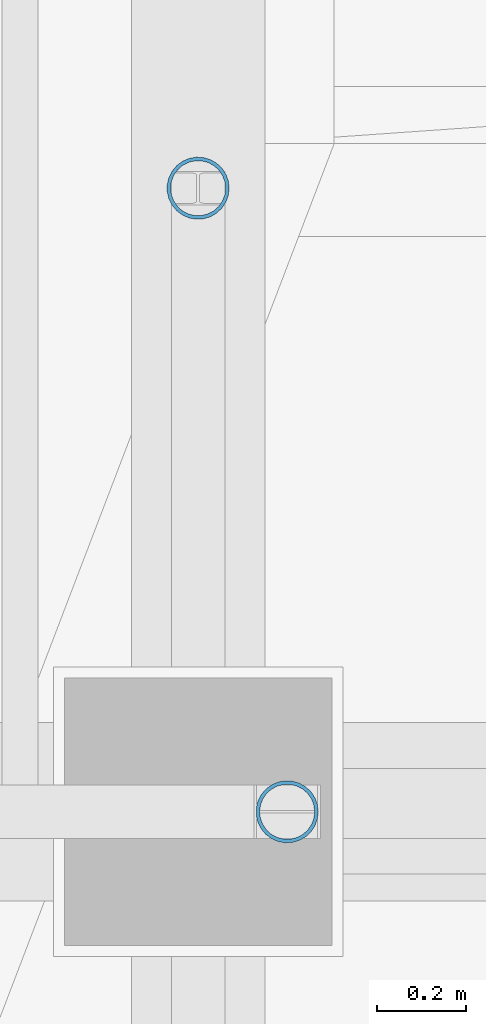
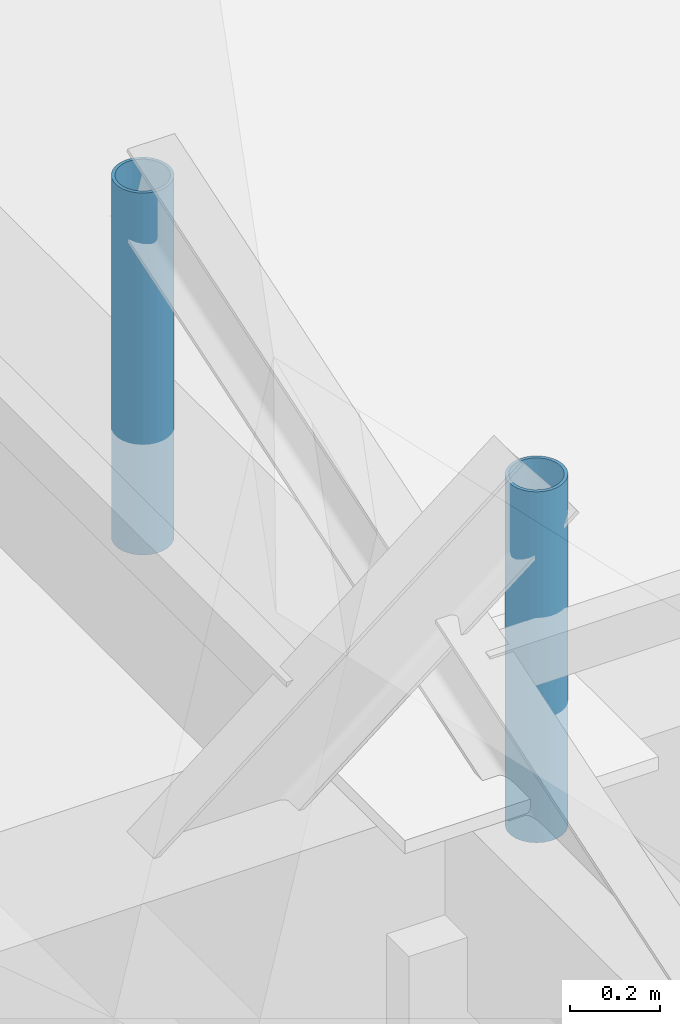
# One storey, part 25 of 39: 2 members.
"""IFC4 building model written with IfcOpenShell, lengths in metres."""

from ifc_helpers import new_model, si_unit, direction, frame, origin, origin_2d, place, context, subcontext, project, spatial, hollow_circle, extrude, material, material_profile, profile_set, type_object, element, save


model = new_model("IFC4")

# Units and contexts
model_context = context("Model", 3, precision=1e-05, world=origin(), true_north=direction((0.0, 1.0)))
body_context = subcontext(model_context, "Body", "Model", "MODEL_VIEW")
ifc_project = project(units=[si_unit("LENGTHUNIT", "METRE"), si_unit("AREAUNIT", "SQUARE_METRE"), si_unit("VOLUMEUNIT", "CUBIC_METRE"), si_unit("PLANEANGLEUNIT", "RADIAN"), si_unit("MASSUNIT", "GRAM", prefix="KILO")], contexts=[model_context])

# Site, building, storey
site_placement = place(None, origin())
site = spatial("IfcSite", under=ifc_project, at=site_placement, CompositionType="ELEMENT")
building_placement = place(site_placement, origin())
building = spatial("IfcBuilding", under=site, at=building_placement, Name="Akrevak Sports Hall", CompositionType="ELEMENT")
storey_placement = place(building_placement, frame((0.0, 0.0, 66.550048828125)))
storey = spatial("IfcBuildingStorey", under=building, at=storey_placement, Name="L17", CompositionType="ELEMENT", Elevation=66.550048828125)

# Members
ifc_material = material(Name="Steel S355", Category="steel")
ifc_material_profile = material_profile(ifc_material, hollow_circle(Radius=0.06982421875, WallThickness=0.008056640625, at=origin_2d()), Name="CHS 139.7x8", Category="steel")
ifc_profile_set = profile_set([ifc_material_profile], Name="Steel S355")
member_type = type_object("IfcMemberType", Name="STR-MEM-BRACE-CHS139", PredefinedType="BRACE", material=ifc_profile_set)
member_1_placement = place(storey_placement, frame((60.0, 43.39990234375, 2.949951171875), z_axis=(0.0, 0.0, 1.0), x_axis=(1.0, 0.0, 0.0)))
element("IfcMember", 1, at=member_1_placement, inside=storey, type_object=member_type, Name="Mansard Knee Post MANS-W-S-60", PredefinedType="BRACE", context=body_context, shape_type="SweptSolid", body=[
    extrude(hollow_circle(Radius=0.06982421875, WallThickness=0.008056640625, at=origin_2d()), origin(), (0.0, 0.0, 1.0), 0.97998046875),
])
member_2_placement = place(storey_placement, frame((60.199951171875, 42.0, 2.949951171875), z_axis=(0.0, 0.0, 1.0), x_axis=(1.0, 0.0, 0.0)))
element("IfcMember", 2, at=member_2_placement, inside=storey, type_object=member_type, Name="Mansard Knee Post MANS-W-W-42", PredefinedType="BRACE", context=body_context, shape_type="SweptSolid", body=[
    extrude(hollow_circle(Radius=0.06982421875, WallThickness=0.008056640625, at=origin_2d()), origin(), (0.0, 0.0, 1.0), 0.949951171875),
])

save(model, "model.ifc")
